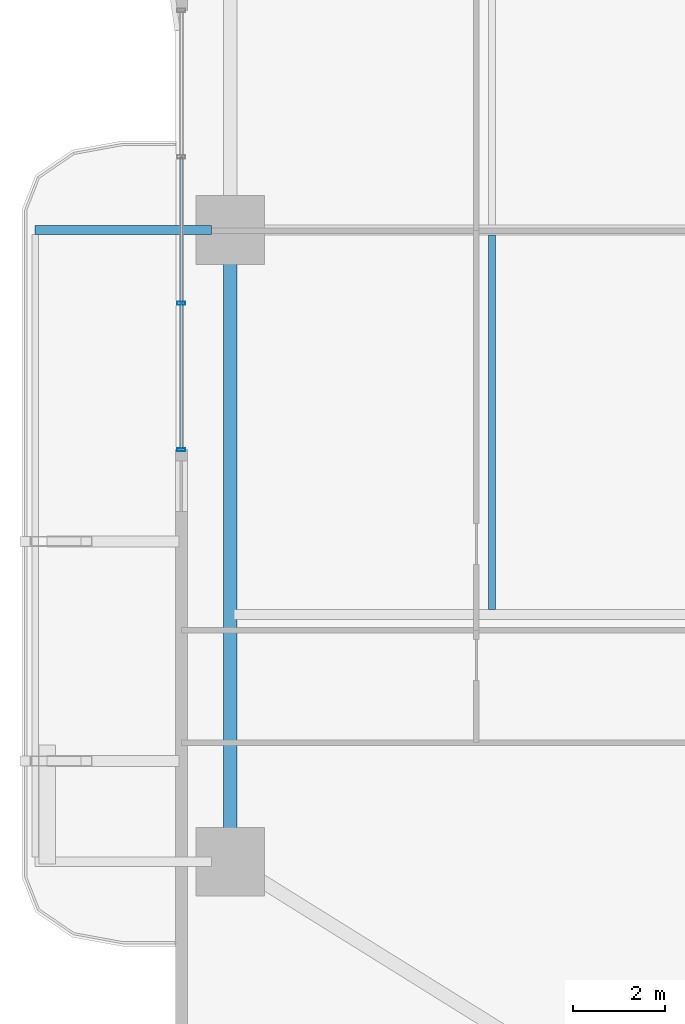
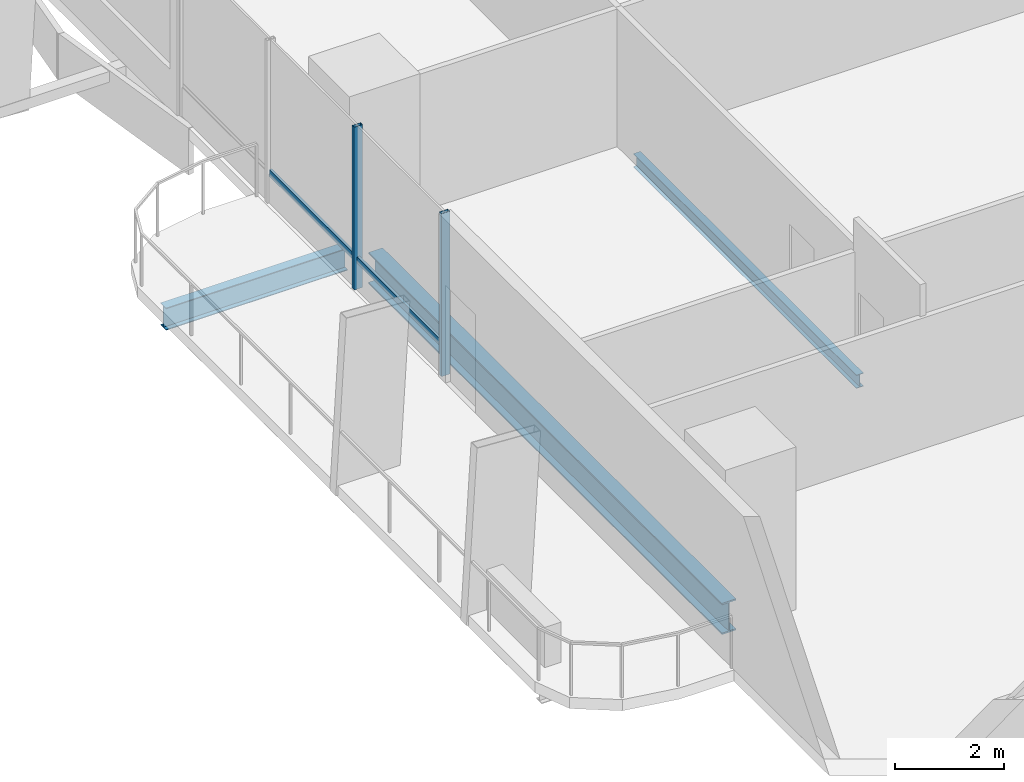
# One storey, part 4 of 24: 4 members, 3 beams, 1 element without a shape of its own.
"""IFC4 building model written with IfcOpenShell, lengths in metres."""

from ifc_helpers import new_model, si_unit, direction, frame, origin, origin_2d, place, context, subcontext, project, spatial, hollow_rectangle, i_section, extrude, material, layer, layer_set, material_profile, profile_set, type_object, element, aggregate, save


model = new_model("IFC4")

# Units and contexts
model_context = context("Model", 3, precision=1e-05, world=origin(), true_north=direction((0.0, 1.0)))
body_context = subcontext(model_context, "Body", "Model", "MODEL_VIEW")
ifc_project = project(units=[si_unit("LENGTHUNIT", "METRE"), si_unit("AREAUNIT", "SQUARE_METRE"), si_unit("VOLUMEUNIT", "CUBIC_METRE"), si_unit("PLANEANGLEUNIT", "RADIAN"), si_unit("MASSUNIT", "GRAM", prefix="KILO")], contexts=[model_context])

# Site, building, storey
site_placement = place(None, origin())
site = spatial("IfcSite", under=ifc_project, at=site_placement, CompositionType="ELEMENT")
building_placement = place(site_placement, origin())
building = spatial("IfcBuilding", under=site, at=building_placement, Name="Belovzor Exchange Tower", CompositionType="ELEMENT")
storey_placement = place(building_placement, frame((0.0, 0.0, 45.60009765625)))
storey = spatial("IfcBuildingStorey", under=building, at=storey_placement, Name="L10", CompositionType="ELEMENT", Elevation=45.60009765625)

# Beams
ifc_material_1 = material(Name="Steel S355", Category="steel")
ifc_material_profile_1 = material_profile(ifc_material_1, i_section(OverallWidth=0.199951171875, OverallDepth=0.5, WebThickness=0.01025390625, FlangeThickness=0.01611328125, at=origin_2d()))
ifc_profile_set_1 = profile_set([ifc_material_profile_1], Name="Steel S355")
beam_type_1 = type_object("IfcBeamType", Name="Planted Balcony Cantilever Beam IPE 500", PredefinedType="BEAM", material=ifc_profile_set_1)
beam_1_placement = place(storey_placement, frame((1.68798828125, 28.800048828125, -0.5), z_axis=(-1.0, 0.0, 0.0), x_axis=(0.0, -1.0, 0.0)))
element("IfcBeam", 1, at=beam_1_placement, inside=storey, type_object=beam_type_1, Name="BC-500 Planted Balcony Cantilever Beam IPE 500", PredefinedType="BEAM", context=body_context, shape_type="SweptSolid", body=[
    extrude(i_section(OverallWidth=0.199951171875, OverallDepth=0.5, WebThickness=0.01025390625, FlangeThickness=0.01611328125, at=origin_2d()), origin(), (0.0, 0.0, 1.0), 3.85009765625),
])
ifc_material_2 = material(Name="Steel S355", Category="steel")
ifc_material_profile_2 = material_profile(ifc_material_2, i_section(OverallWidth=0.14990234375, OverallDepth=0.300048828125, WebThickness=0.007080078125, FlangeThickness=0.0107421875, at=origin_2d()))
ifc_profile_set_2 = profile_set([ifc_material_profile_2], Name="Steel S355")
beam_type_2 = type_object("IfcBeamType", Name="Secondary Trim Floor Joist IPE 300", PredefinedType="BEAM", material=ifc_profile_set_2)
beam_2_placement = place(storey_placement, frame((7.81494140625, 20.5048828125, -0.400146484375), z_axis=(0.0, 1.0, 0.0), x_axis=(-1.0, 0.0, 0.0)))
element("IfcBeam", 2, at=beam_2_placement, inside=storey, type_object=beam_type_2, Name="FJ-300 Secondary Trim Floor Joist IPE 300", PredefinedType="BEAM", context=body_context, shape_type="SweptSolid", body=[
    extrude(i_section(OverallWidth=0.14990234375, OverallDepth=0.300048828125, WebThickness=0.007080078125, FlangeThickness=0.0107421875, at=origin_2d()), origin(), (0.0, 0.0, 1.0), 8.190185546875),
])

# Curtain wall, members
ifc_material_3 = material(Name="Anodised Aluminium Framing", Category="aluminium")
ifc_layer = layer(ifc_material_3, 0.179931640625)
ifc_layer_set = layer_set([ifc_layer], Name="Anodised Aluminium Framing")
curtain_wall_type = type_object("IfcCurtainWallType", Name="Recessed Loggia Low-Iron Triple-Glazed Curtain Wall", PredefinedType="NOTDEFINED", material=ifc_layer_set)
curtain_wall_placement = place(storey_placement, origin())
curtain_wall = element("IfcCurtainWall", 3, at=curtain_wall_placement, inside=storey, type_object=curtain_wall_type, Name="CW3 Recessed Loggia Low-Iron Triple-Glazed Curtain Wall L10", PredefinedType="NOTDEFINED")
ifc_material_4 = material(Name="Steel S355", Category="steel")
ifc_material_profile_3 = material_profile(ifc_material_4, hollow_rectangle(XDim=0.074951171875, YDim=0.179931640625, WallThickness=0.0048828125, at=origin_2d()))
ifc_profile_set_3 = profile_set([ifc_material_profile_3], Name="Steel S355")
member_type_1 = type_object("IfcMemberType", Name="Thermally Broken Curtain Wall Mullion 180x75", PredefinedType="MULLION", material=ifc_profile_set_3)
member_1_placement = place(storey_placement, frame((1.030029296875, 24.0, 0.0), z_axis=(0.0, 0.0, 1.0), x_axis=(0.0, 1.0, 0.0)))
member_1 = element("IfcMember", 4, at=member_1_placement, type_object=member_type_1, Name="CW-M180 Curtain Wall Mullion 1", PredefinedType="MULLION", context=body_context, shape_type="SweptSolid", body=[
    extrude(hollow_rectangle(XDim=0.074951171875, YDim=0.179931640625, WallThickness=0.0048828125, at=origin_2d()), origin(), (0.0, 0.0, 1.0), 3.64990234375),
])
member_2_placement = place(storey_placement, frame((1.030029296875, 27.199951171875, 0.0), z_axis=(0.0, 0.0, 1.0), x_axis=(0.0, 1.0, 0.0)))
member_2 = element("IfcMember", 5, at=member_2_placement, type_object=member_type_1, Name="CW-M180 Curtain Wall Mullion 2", PredefinedType="MULLION", context=body_context, shape_type="SweptSolid", body=[
    extrude(hollow_rectangle(XDim=0.074951171875, YDim=0.179931640625, WallThickness=0.0048828125, at=origin_2d()), origin(), (0.0, 0.0, 1.0), 3.64990234375),
])
ifc_material_5 = material(Name="Steel S355", Category="steel")
ifc_material_profile_4 = material_profile(ifc_material_5, hollow_rectangle(XDim=0.06005859375, YDim=0.14990234375, WallThickness=0.00390625, at=origin_2d()))
ifc_profile_set_4 = profile_set([ifc_material_profile_4], Name="Steel S355")
member_type_2 = type_object("IfcMemberType", Name="Thermally Broken Curtain Wall Transom 150x60", PredefinedType="USERDEFINED", material=ifc_profile_set_4)
member_3_placement = place(storey_placement, frame((1.030029296875, 24.008056640625, 0.64990234375), z_axis=(0.0, 1.0, 0.0), x_axis=(-1.0, 0.0, 0.0)))
member_3 = element("IfcMember", 6, at=member_3_placement, type_object=member_type_2, Name="CW-T150 Curtain Wall Transom 1", ObjectType="TRANSOM", PredefinedType="USERDEFINED", context=body_context, shape_type="SweptSolid", body=[
    extrude(hollow_rectangle(XDim=0.06005859375, YDim=0.14990234375, WallThickness=0.00390625, at=origin_2d()), origin(), (0.0, 0.0, 1.0), 3.183837890625),
])
member_4_placement = place(storey_placement, frame((1.030029296875, 27.2080078125, 0.64990234375), z_axis=(0.0, 1.0, 0.0), x_axis=(-1.0, 0.0, 0.0)))
member_4 = element("IfcMember", 7, at=member_4_placement, type_object=member_type_2, Name="CW-T150 Curtain Wall Transom 2", ObjectType="TRANSOM", PredefinedType="USERDEFINED", context=body_context, shape_type="SweptSolid", body=[
    extrude(hollow_rectangle(XDim=0.06005859375, YDim=0.14990234375, WallThickness=0.00390625, at=origin_2d()), origin(), (0.0, 0.0, 1.0), 3.18408203125),
])
aggregate(curtain_wall, [member_1, member_2, member_3, member_4])

# Beam
ifc_material_6 = material(Name="Steel S355", Category="steel")
ifc_material_profile_5 = material_profile(ifc_material_6, i_section(OverallWidth=0.300048828125, OverallDepth=0.699951171875, WebThickness=0.01708984375, FlangeThickness=0.031982421875, at=origin_2d()))
ifc_profile_set_5 = profile_set([ifc_material_profile_5], Name="Steel S355")
beam_type_3 = type_object("IfcBeamType", Name="Zone 1 Primary Perimeter Girder HEB 700", PredefinedType="BEAM", material=ifc_profile_set_5)
beam_3_placement = place(storey_placement, frame((2.10009765625, 28.386962890625, -0.60009765625), z_axis=(0.0, -1.0, 0.0), x_axis=(1.0, 0.0, 0.0)))
element("IfcBeam", 8, at=beam_3_placement, inside=storey, type_object=beam_type_3, Name="FG-Z1 Zone 1 Primary Perimeter Girder HEB 700", PredefinedType="BEAM", context=body_context, shape_type="SweptSolid", body=[
    extrude(i_section(OverallWidth=0.300048828125, OverallDepth=0.699951171875, WebThickness=0.01708984375, FlangeThickness=0.031982421875, at=origin_2d()), origin(), (0.0, 0.0, 1.0), 12.974853515625),
])

save(model, "model.ifc")
